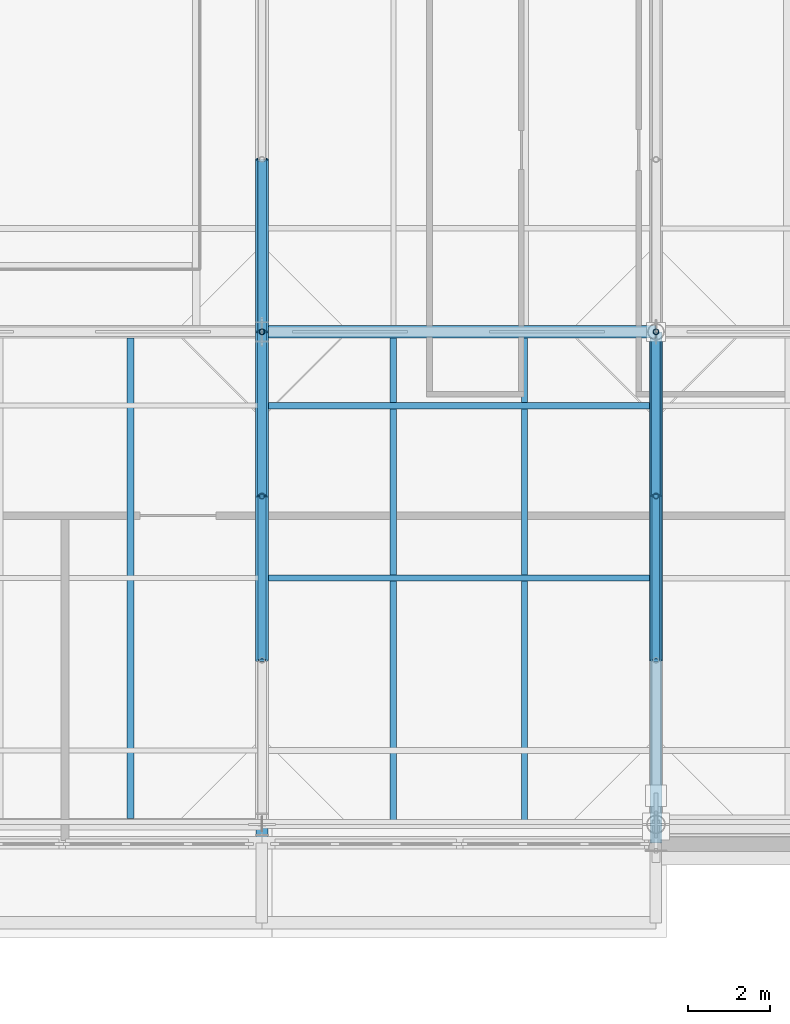
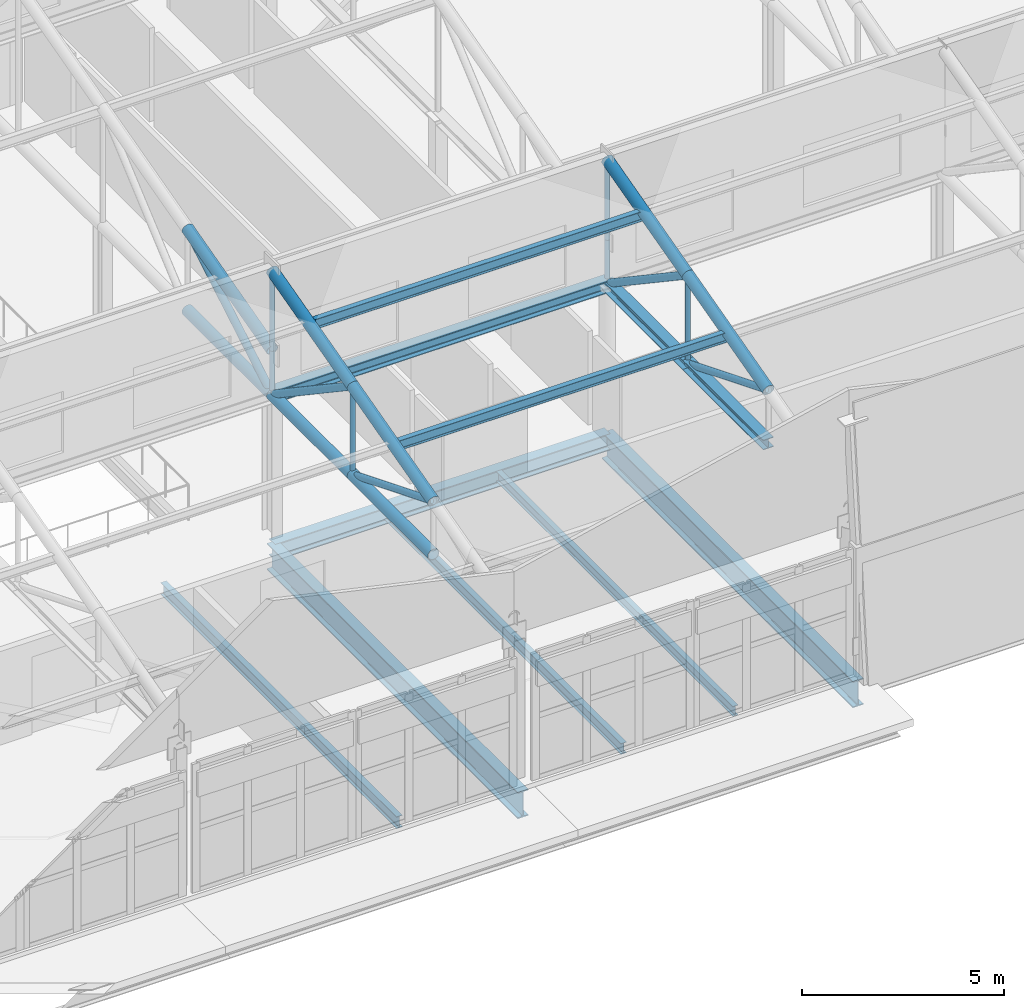
# One storey, part 27 of 89: 23 members, 7 beams.
"""IFC4 building model written with IfcOpenShell, lengths in metres."""

import ifcopenshell
import ifcopenshell.guid

model = None  # the IFC model being written
_history = None  # IfcOwnerHistory: only IFC2X3 demands one
_inside = {}  # id of a spatial element -> (the spatial element, [elements in it])
_under = {}  # id of a project, library or spatial element -> (it, [spatial elements below it])
_declared = {}  # id of a project -> (the project, [libraries it declares])
_typed = {}  # id of a type object -> (the type object, [elements of that type])
_made_of = {}  # id of a material, layer set ... -> (it, [elements and type objects made of it])


def new_model(schema):
    """Start an empty IFC model of exactly this schema.

    Asked for "IFC4X3", IfcOpenShell would pick the latest addendum, in which some entities
    have other attributes; the version numbers below select the first issue.
    IFC2X3 requires an IfcOwnerHistory on every rooted entity: one is made here for all.
    """
    global model, _history
    if schema == "IFC4X3":
        model = ifcopenshell.file(schema_version=(4, 3, 0, 0))
    else:
        model = ifcopenshell.file(schema=schema)
    _inside.clear()
    _under.clear()
    _declared.clear()
    _typed.clear()
    _made_of.clear()
    _history = None
    if model.schema == "IFC2X3":
        org = make("IfcOrganization", Name="unknown")
        user = make(
            "IfcPersonAndOrganization",
            ThePerson=make("IfcPerson", FamilyName="unknown"),
            TheOrganization=org,
        )
        app = make(
            "IfcApplication",
            ApplicationDeveloper=org,
            Version="unknown",
            ApplicationFullName="unknown",
            ApplicationIdentifier="unknown",
        )
        _history = make(
            "IfcOwnerHistory",
            OwningUser=user,
            OwningApplication=app,
            ChangeAction="ADDED",
            CreationDate=0,
        )
    return model


def make(cls, **values):
    """One entity of the class cls with the attributes given. An attribute that is None is left unset."""
    return model.create_entity(
        cls, **{name: value for name, value in values.items() if value is not None}
    )


def rooted(cls, **values):
    """An entity with a GlobalId (a new one), such as an element, a storey or a relation."""
    return make(cls, GlobalId=ifcopenshell.guid.new(), OwnerHistory=_history, **values)


def si_unit(unit_type, name, prefix=None):
    """IfcSIUnit, for example si_unit("LENGTHUNIT", "METRE", prefix="MILLI")."""
    return make("IfcSIUnit", UnitType=unit_type, Prefix=prefix, Name=name)


def assignment(units):
    """IfcUnitAssignment: the units of a project."""
    return None if units is None else make("IfcUnitAssignment", Units=units)


def point(xyz):
    """IfcCartesianPoint."""
    return None if xyz is None else make("IfcCartesianPoint", Coordinates=xyz)


def direction(xyz):
    """IfcDirection."""
    return None if xyz is None else make("IfcDirection", DirectionRatios=xyz)


def frame(location, z_axis=None, x_axis=None):
    """IfcAxis2Placement3D, a coordinate frame: its origin and axes. An axis left out is left unset."""
    return make(
        "IfcAxis2Placement3D",
        Location=point(location),
        Axis=direction(z_axis),
        RefDirection=direction(x_axis),
    )


def frame_2d(location, x_axis=None):
    """IfcAxis2Placement2D, a coordinate frame in the plane: its origin and x axis."""
    return make(
        "IfcAxis2Placement2D", Location=point(location), RefDirection=direction(x_axis)
    )


def origin():
    """The frame at (0, 0, 0) with its axes left unset."""
    return frame((0.0, 0.0, 0.0))


def origin_2d():
    """The frame at (0, 0) in the plane with its x axis left unset."""
    return frame_2d((0.0, 0.0))


def place(relative_to, where):
    """IfcLocalPlacement: puts the frame where relative to a parent placement (None: the world)."""
    return make(
        "IfcLocalPlacement", PlacementRelTo=relative_to, RelativePlacement=where
    )


def context(
    kind, dimensions, precision=None, world=None, true_north=None, identifier=None
):
    """IfcGeometricRepresentationContext, for example the 3D "Model" context."""
    return make(
        "IfcGeometricRepresentationContext",
        ContextIdentifier=identifier,
        ContextType=kind,
        CoordinateSpaceDimension=dimensions,
        Precision=precision,
        WorldCoordinateSystem=world,
        TrueNorth=true_north,
    )


def subcontext(parent, identifier, kind, view, scale=None):
    """IfcGeometricRepresentationSubContext, for example "Body" below "Model"."""
    return make(
        "IfcGeometricRepresentationSubContext",
        ContextIdentifier=identifier,
        ContextType=kind,
        ParentContext=parent,
        TargetScale=scale,
        TargetView=view,
    )


def project(units=None, contexts=None):
    """IfcProject with its units and contexts."""
    return rooted(
        "IfcProject",
        Name="project",
        RepresentationContexts=contexts,
        UnitsInContext=assignment(units),
    )


def spatial(cls, under=None, at=None, **own):
    """A site, building, storey or space (cls), placed at a placement, below another one or the project."""
    s = rooted(cls, ObjectPlacement=at, **own)
    if under is not None:
        _under.setdefault(under.id(), (under, []))[1].append(s)
    return s


def profile(cls, at=None, kind="AREA", **sizes):
    """A parametric profile (cls). Its sizes go by their IFC names, for example OverallWidth=200.0."""
    return make(cls, ProfileType=kind, Position=at, **sizes)


def hollow_circle(**sizes):
    """IfcCircleHollowProfileDef."""
    return profile("IfcCircleHollowProfileDef", **sizes)


def i_section(**sizes):
    """IfcIShapeProfileDef."""
    return profile("IfcIShapeProfileDef", **sizes)


def extrude(swept, where, along, depth):
    """IfcExtrudedAreaSolid: the profile swept, set in the frame where, extruded along a direction by depth."""
    return make(
        "IfcExtrudedAreaSolid",
        SweptArea=swept,
        Position=where,
        ExtrudedDirection=direction(along),
        Depth=depth,
    )


def shape(context_of_items, identifier, shape_type, items):
    """IfcShapeRepresentation: the items that make up one representation, for example the "Body"."""
    return make(
        "IfcShapeRepresentation",
        ContextOfItems=context_of_items,
        RepresentationIdentifier=identifier,
        RepresentationType=shape_type,
        Items=items,
    )


def material(Name=None, Category=None):
    """IfcMaterial."""
    return make("IfcMaterial", Name=Name, Category=Category)


def material_profile(
    of_material, cross_section, Name=None, Category=None, Priority=None
):
    """IfcMaterialProfile: a cross section and its material."""
    return make(
        "IfcMaterialProfile",
        Name=Name,
        Material=of_material,
        Profile=cross_section,
        Priority=Priority,
        Category=Category,
    )


def profile_set(profiles, Name=None, composite=None):
    """IfcMaterialProfileSet."""
    return make(
        "IfcMaterialProfileSet",
        Name=Name,
        MaterialProfiles=profiles,
        CompositeProfile=composite,
    )


def made_of(thing, what):
    """Note that an element or type object is made of a material, layer set ...; save() writes the relation."""
    if what is not None:
        _made_of.setdefault(what.id(), (what, []))[1].append(thing)
    return thing


def type_object(cls, material=None, **own):
    """A type object (cls), such as IfcWallType, which elements share."""
    return made_of(rooted(cls, **own), material)


def element(
    cls,
    number,
    at=None,
    inside=None,
    cuts=None,
    type_object=None,
    material=None,
    context=None,
    identifier="Body",
    shape_type=None,
    held_by="IfcProductDefinitionShape",
    body=None,
    shapes=None,
    **own,
):
    """One element of the class cls, such as IfcWall. Its Tag is "e" and its number.

    at: its placement. inside: the storey or other place that contains it. cuts: it is an
    opening in that element (IfcRelVoidsElement). A single representation is given by context,
    identifier, shape_type and body (its items); several are given by shapes. held_by: the class
    of the entity that holds the representations. save() writes the other relations.
    """
    e = rooted(cls, Tag="e%d" % number, ObjectPlacement=at, **own)
    if body is not None:
        shapes = [shape(context, identifier, shape_type, body)]
    if shapes is not None:
        e.Representation = make(held_by, Representations=shapes)
    if inside is not None:
        _inside.setdefault(inside.id(), (inside, []))[1].append(e)
    if cuts is not None:
        rooted(
            "IfcRelVoidsElement", RelatingBuildingElement=cuts, RelatedOpeningElement=e
        )
    if type_object is not None:
        _typed.setdefault(type_object.id(), (type_object, []))[1].append(e)
    return made_of(e, material)


def aggregate(whole, parts):
    """IfcRelAggregates: a whole, such as a stair, and the parts it consists of."""
    return rooted("IfcRelAggregates", RelatingObject=whole, RelatedObjects=parts)


def save(model, path):
    """Write the relations noted so far, then the file.

    IfcRelAggregates (storeys below a building ...), IfcRelContainedInSpatialStructure (elements
    in a storey), IfcRelDefinesByType, IfcRelAssociatesMaterial and IfcRelDeclares: one each for
    every whole, place, type object, material and project.
    """
    for whole, parts in _under.values():
        aggregate(whole, parts)
    for where, things in _inside.values():
        rooted(
            "IfcRelContainedInSpatialStructure",
            RelatedElements=things,
            RelatingStructure=where,
        )
    for kind, things in _typed.values():
        rooted("IfcRelDefinesByType", RelatedObjects=things, RelatingType=kind)
    for what, things in _made_of.values():
        rooted("IfcRelAssociatesMaterial", RelatedObjects=things, RelatingMaterial=what)
    for by, libraries in _declared.values():
        rooted("IfcRelDeclares", RelatingContext=by, RelatedDefinitions=libraries)
    model.write(path)


model = new_model("IFC4")

# Units and contexts
model_context = context("Model", 3, precision=1e-05, world=origin(), true_north=direction((0.0, 1.0)))
body_context = subcontext(model_context, "Body", "Model", "MODEL_VIEW")
ifc_project = project(units=[si_unit("LENGTHUNIT", "METRE"), si_unit("AREAUNIT", "SQUARE_METRE"), si_unit("VOLUMEUNIT", "CUBIC_METRE"), si_unit("PLANEANGLEUNIT", "RADIAN"), si_unit("MASSUNIT", "GRAM", prefix="KILO")], contexts=[model_context])

# Site, building, storey
site_placement = place(None, origin())
site = spatial("IfcSite", under=ifc_project, at=site_placement, CompositionType="ELEMENT")
building_placement = place(site_placement, origin())
building = spatial("IfcBuilding", under=site, at=building_placement, Name="Zereglee Splitstone Museum", CompositionType="ELEMENT")
storey_placement = place(building_placement, frame((0.0, 0.0, 21.300048828125)))
storey = spatial("IfcBuildingStorey", under=building, at=storey_placement, Name="L04", CompositionType="ELEMENT", Elevation=21.300048828125)

# Members
ifc_material_1 = material(Name="Steel S355J2H", Category="steel")
ifc_material_profile_1 = material_profile(ifc_material_1, hollow_circle(Radius=0.096923828125, WallThickness=0.010009765625, at=origin_2d()), Name="CHS 193.7x10")
ifc_profile_set_1 = profile_set([ifc_material_profile_1], Name="Steel S355J2H")
member_type_1 = type_object("IfcMemberType", Name="TB-04", PredefinedType="BRACE", material=ifc_profile_set_1)
for number, where, z_axis, x_axis, name in (
    (1, (116.39990234375, 17.60009765625, 4.199951171875), (0.0, -0.927136001435, 0.374725012299), (1.0, 0.0, 0.0), "Roof Truss ST-05 Diagonal 1.2"),
    (2, (126.0, 17.60009765625, 4.199951171875), (0.0, -0.927136001435, 0.374725012299), (1.0, 0.0, 0.0), "Roof Truss ST-06 Diagonal 1.2"),
):
    element("IfcMember", number, at=place(storey_placement, frame(where, z_axis=z_axis, x_axis=x_axis)), inside=storey, type_object=member_type_1, Name=name, PredefinedType="BRACE", context=body_context, shape_type="SweptSolid", body=[
        extrude(hollow_circle(Radius=0.096923828125, WallThickness=0.010009765625, at=origin_2d()), origin(), (0.0, 0.0, 1.0), 4.314453125),
    ])
ifc_material_profile_2 = material_profile(ifc_material_1, hollow_circle(Radius=0.109619140625, WallThickness=0.010009765625, at=origin_2d()), Name="CHS 219.1x10")
ifc_profile_set_2 = profile_set([ifc_material_profile_2], Name="Steel S355J2H")
member_type_2 = type_object("IfcMemberType", Name="TB-03", PredefinedType="BRACE", material=ifc_profile_set_2)
member_1_placement = place(storey_placement, frame((116.39990234375, 21.60009765625, 4.199951171875), z_axis=(0.0, -0.830448263685, 0.557095755991), x_axis=(1.0, 0.0, 0.0)))
element("IfcMember", 3, at=member_1_placement, inside=storey, type_object=member_type_2, Name="Roof Truss ST-05 Diagonal 1.3", PredefinedType="BRACE", context=body_context, shape_type="SweptSolid", body=[
    extrude(hollow_circle(Radius=0.109619140625, WallThickness=0.010009765625, at=origin_2d()), origin(), (0.0, 0.0, 1.0), 4.816650390625),
])
member_2_placement = place(storey_placement, frame((116.39990234375, 21.60009765625, 4.199951171875), z_axis=(0.0, 0.861527117747, 0.50771155727), x_axis=(-1.0, 0.0, 0.0)))
element("IfcMember", 4, at=member_2_placement, inside=storey, type_object=member_type_2, Name="Roof Truss ST-05 Diagonal 2.1", PredefinedType="BRACE", context=body_context, shape_type="SweptSolid", body=[
    extrude(hollow_circle(Radius=0.109619140625, WallThickness=0.010009765625, at=origin_2d()), origin(), (0.0, 0.0, 1.0), 4.875),
])
member_3_placement = place(storey_placement, frame((126.0, 21.60009765625, 4.199951171875), z_axis=(0.0, -0.830448263685, 0.557095755991), x_axis=(1.0, 0.0, 0.0)))
element("IfcMember", 5, at=member_3_placement, inside=storey, type_object=member_type_2, Name="Roof Truss ST-06 Diagonal 1.3", PredefinedType="BRACE", context=body_context, shape_type="SweptSolid", body=[
    extrude(hollow_circle(Radius=0.109619140625, WallThickness=0.010009765625, at=origin_2d()), origin(), (0.0, 0.0, 1.0), 4.816650390625),
])
ifc_material_profile_3 = material_profile(ifc_material_1, hollow_circle(Radius=0.161865234375, WallThickness=0.01611328125, at=origin_2d()), Name="CHS 323.9x16")
ifc_profile_set_3 = profile_set([ifc_material_profile_3], Name="Steel S355J2H")
member_type_3 = type_object("IfcMemberType", Name="TC-05", PredefinedType="CHORD", material=ifc_profile_set_3)
member_4_placement = place(storey_placement, frame((116.39990234375, 13.60009765625, 4.199951171875), z_axis=(0.0, 1.0, 0.0), x_axis=(-1.0, 0.0, 0.0)))
element("IfcMember", 6, at=member_4_placement, inside=storey, type_object=member_type_3, Name="Roof Truss ST-05 Bottom Chord 1.2", PredefinedType="CHORD", context=body_context, shape_type="SweptSolid", body=[
    extrude(hollow_circle(Radius=0.161865234375, WallThickness=0.01611328125, at=origin_2d()), origin(), (0.0, 0.0, 1.0), 4.0),
])
member_5_placement = place(storey_placement, frame((116.39990234375, 13.60009765625, 5.816650390625), z_axis=(0.0, 0.966235918422, 0.257658979955), x_axis=(-1.0, 0.0, 0.0)))
element("IfcMember", 7, at=member_5_placement, inside=storey, type_object=member_type_3, Name="Roof Truss ST-05 Top Chord 1.2", PredefinedType="CHORD", context=body_context, shape_type="SweptSolid", body=[
    extrude(hollow_circle(Radius=0.161865234375, WallThickness=0.01611328125, at=origin_2d()), origin(), (0.0, 0.0, 1.0), 4.139892578125),
])
member_6_placement = place(storey_placement, frame((116.39990234375, 17.60009765625, 4.199951171875), z_axis=(0.0, 1.0, 0.0), x_axis=(-1.0, 0.0, 0.0)))
element("IfcMember", 8, at=member_6_placement, inside=storey, type_object=member_type_3, Name="Roof Truss ST-05 Bottom Chord 1.3", PredefinedType="CHORD", context=body_context, shape_type="SweptSolid", body=[
    extrude(hollow_circle(Radius=0.161865234375, WallThickness=0.01611328125, at=origin_2d()), origin(), (0.0, 0.0, 1.0), 4.0),
])
member_7_placement = place(storey_placement, frame((116.39990234375, 17.60009765625, 6.88330078125), z_axis=(0.0, 0.966235918422, 0.257658979955), x_axis=(-1.0, 0.0, 0.0)))
element("IfcMember", 9, at=member_7_placement, inside=storey, type_object=member_type_3, Name="Roof Truss ST-05 Top Chord 1.3", PredefinedType="CHORD", context=body_context, shape_type="SweptSolid", body=[
    extrude(hollow_circle(Radius=0.161865234375, WallThickness=0.01611328125, at=origin_2d()), origin(), (0.0, 0.0, 1.0), 4.139892578125),
])
member_8_placement = place(storey_placement, frame((116.39990234375, 21.60009765625, 4.199951171875), z_axis=(0.0, 1.0, 0.0), x_axis=(-1.0, 0.0, 0.0)))
element("IfcMember", 10, at=member_8_placement, inside=storey, type_object=member_type_3, Name="Roof Truss ST-05 Bottom Chord 2.1", PredefinedType="CHORD", context=body_context, shape_type="SweptSolid", body=[
    extrude(hollow_circle(Radius=0.161865234375, WallThickness=0.01611328125, at=origin_2d()), origin(), (0.0, 0.0, 1.0), 4.199951171875),
])
member_9_placement = place(storey_placement, frame((116.39990234375, 21.60009765625, 5.550048828125), z_axis=(0.0, 0.965947299715, 0.258738891884), x_axis=(-1.0, 0.0, 0.0)))
element("IfcMember", 11, at=member_9_placement, inside=storey, type_object=member_type_3, Name="Roof Truss ST-05 Top Chord 2.1", PredefinedType="CHORD", context=body_context, shape_type="SweptSolid", body=[
    extrude(hollow_circle(Radius=0.161865234375, WallThickness=0.01611328125, at=origin_2d()), origin(), (0.0, 0.0, 1.0), 4.347900390625),
])
for number, where, z_axis, x_axis, name in (
    (12, (126.0, 13.60009765625, 5.816650390625), (0.0, 0.966235918422, 0.257658979955), (-1.0, 0.0, 0.0), "Roof Truss ST-06 Top Chord 1.2"),
    (13, (126.0, 17.60009765625, 6.88330078125), (0.0, 0.966235918422, 0.257658979955), (-1.0, 0.0, 0.0), "Roof Truss ST-06 Top Chord 1.3"),
):
    element("IfcMember", number, at=place(storey_placement, frame(where, z_axis=z_axis, x_axis=x_axis)), inside=storey, type_object=member_type_3, Name=name, PredefinedType="CHORD", context=body_context, shape_type="SweptSolid", body=[
        extrude(hollow_circle(Radius=0.161865234375, WallThickness=0.01611328125, at=origin_2d()), origin(), (0.0, 0.0, 1.0), 4.139892578125),
    ])
ifc_material_2 = material(Name="Steel S355J2", Category="steel")
ifc_material_profile_4 = material_profile(ifc_material_2, i_section(OverallWidth=0.300048828125, OverallDepth=0.300048828125, WebThickness=0.010986328125, FlangeThickness=0.01904296875, FilletRadius=0.027099609375, at=origin_2d()), Name="HE 300 B")
ifc_profile_set_4 = profile_set([ifc_material_profile_4], Name="Steel S355J2")
member_type_4 = type_object("IfcMemberType", Name="TC-07", PredefinedType="CHORD", material=ifc_profile_set_4)
for number, where, z_axis, x_axis, name in (
    (14, (126.0, 13.60009765625, 4.199951171875), (0.0, 1.0, 0.0), (-1.0, 0.0, 0.0), "Roof Truss ST-06 Bottom Chord 1.2"),
    (15, (126.0, 17.60009765625, 4.199951171875), (0.0, 1.0, 0.0), (-1.0, 0.0, 0.0), "Roof Truss ST-06 Bottom Chord 1.3"),
):
    element("IfcMember", number, at=place(storey_placement, frame(where, z_axis=z_axis, x_axis=x_axis)), inside=storey, type_object=member_type_4, Name=name, PredefinedType="CHORD", context=body_context, shape_type="SweptSolid", body=[
        extrude(i_section(OverallWidth=0.300048828125, OverallDepth=0.300048828125, WebThickness=0.010986328125, FlangeThickness=0.01904296875, FilletRadius=0.027099609375, at=origin_2d()), origin(), (0.0, 0.0, 1.0), 4.0),
    ])

# Beams
ifc_material_profile_5 = material_profile(ifc_material_2, i_section(OverallWidth=0.300048828125, OverallDepth=0.360107421875, WebThickness=0.012451171875, FlangeThickness=0.0224609375, FilletRadius=0.027099609375, at=origin_2d()), Name="HE 360 B")
ifc_profile_set_5 = profile_set([ifc_material_profile_5], Name="Steel S355J2")
beam_type_1 = type_object("IfcBeamType", Name="BG-14", PredefinedType="BEAM", material=ifc_profile_set_5)
beam_1_placement = place(storey_placement, frame((116.39990234375, 21.60009765625, 4.199951171875), z_axis=(1.0, 0.0, 0.0), x_axis=(0.0, 1.0, 0.0)))
element("IfcBeam", 16, at=beam_1_placement, inside=storey, type_object=beam_type_1, Name="Sawtooth Monitor Sill Beam B5-S1", PredefinedType="BEAM", context=body_context, shape_type="SweptSolid", body=[
    extrude(i_section(OverallWidth=0.300048828125, OverallDepth=0.360107421875, WebThickness=0.012451171875, FlangeThickness=0.0224609375, FilletRadius=0.027099609375, at=origin_2d()), origin(), (0.0, 0.0, 1.0), 9.60009765625),
])
ifc_material_profile_6 = material_profile(ifc_material_2, i_section(OverallWidth=0.300048828125, OverallDepth=0.5, WebThickness=0.014404296875, FlangeThickness=0.028076171875, FilletRadius=0.027099609375, at=origin_2d()), Name="HE 500 B")
ifc_profile_set_6 = profile_set([ifc_material_profile_6], Name="Steel S355J2")
beam_type_2 = type_object("IfcBeamType", Name="BG-12", PredefinedType="BEAM", material=ifc_profile_set_6)
beam_2_placement = place(storey_placement, frame((116.39990234375, 21.60009765625, -0.510009765625), z_axis=(1.0, 0.0, 0.0), x_axis=(0.0, 1.0, 0.0)))
element("IfcBeam", 17, at=beam_2_placement, inside=storey, type_object=beam_type_2, Name="Primary Girder L04 C (116.4-126.0)", PredefinedType="BEAM", context=body_context, shape_type="SweptSolid", body=[
    extrude(i_section(OverallWidth=0.300048828125, OverallDepth=0.5, WebThickness=0.014404296875, FlangeThickness=0.028076171875, FilletRadius=0.027099609375, at=origin_2d()), origin(), (0.0, 0.0, 1.0), 9.60009765625),
])
ifc_material_profile_7 = material_profile(ifc_material_2, i_section(OverallWidth=0.300048828125, OverallDepth=0.800048828125, WebThickness=0.017578125, FlangeThickness=0.032958984375, FilletRadius=0.030029296875, at=origin_2d()), Name="HE 800 B")
ifc_profile_set_7 = profile_set([ifc_material_profile_7], Name="Steel S355J2")
beam_type_3 = type_object("IfcBeamType", Name="BG-07", PredefinedType="BEAM", material=ifc_profile_set_7)
for number, where, z_axis, x_axis, name in (
    (18, (116.39990234375, 9.14990234375, -0.66015625), (0.0, 1.0, 0.0), (-1.0, 0.0, 0.0), "Primary Girder L04 14 (9.2-21.6)"),
    (19, (126.0, 9.14990234375, -0.66015625), (0.0, 1.0, 0.0), (-1.0, 0.0, 0.0), "Primary Girder L04 15 (9.2-21.6)"),
):
    element("IfcBeam", number, at=place(storey_placement, frame(where, z_axis=z_axis, x_axis=x_axis)), inside=storey, type_object=beam_type_3, Name=name, PredefinedType="BEAM", context=body_context, shape_type="SweptSolid", body=[
        extrude(i_section(OverallWidth=0.300048828125, OverallDepth=0.800048828125, WebThickness=0.017578125, FlangeThickness=0.032958984375, FilletRadius=0.030029296875, at=origin_2d()), origin(), (0.0, 0.0, 1.0), 12.4501953125),
    ])
ifc_material_profile_8 = material_profile(ifc_material_2, i_section(OverallWidth=0.14990234375, OverallDepth=0.300048828125, WebThickness=0.007080078125, FlangeThickness=0.0107421875, FilletRadius=0.014892578125, at=origin_2d()), Name="IPE 300")
ifc_profile_set_8 = profile_set([ifc_material_profile_8], Name="Steel S355J2")
beam_type_4 = type_object("IfcBeamType", Name="BJ-06", PredefinedType="JOIST", material=ifc_profile_set_8)
beam_3_placement = place(storey_placement, frame((122.800048828125, 9.699951171875, -0.41015625), z_axis=(0.0, 1.0, 0.0), x_axis=(-1.0, 0.0, 0.0)))
element("IfcBeam", 20, at=beam_3_placement, inside=storey, type_object=beam_type_4, Name="Secondary Floor Joist L04-1517", PredefinedType="JOIST", context=body_context, shape_type="SweptSolid", body=[
    extrude(i_section(OverallWidth=0.14990234375, OverallDepth=0.300048828125, WebThickness=0.007080078125, FlangeThickness=0.0107421875, FilletRadius=0.014892578125, at=origin_2d()), origin(), (0.0, 0.0, 1.0), 11.75),
])
ifc_material_profile_9 = material_profile(ifc_material_2, i_section(OverallWidth=0.159912109375, OverallDepth=0.330078125, WebThickness=0.007568359375, FlangeThickness=0.011474609375, FilletRadius=0.01806640625, at=origin_2d()), Name="IPE 330")
ifc_profile_set_9 = profile_set([ifc_material_profile_9], Name="Steel S355J2")
beam_type_5 = type_object("IfcBeamType", Name="BJ-05", PredefinedType="JOIST", material=ifc_profile_set_9)
beam_4_placement = place(storey_placement, frame((119.60009765625, 9.699951171875, -0.425048828125), z_axis=(0.0, 1.0, 0.0), x_axis=(-1.0, 0.0, 0.0)))
element("IfcBeam", 21, at=beam_4_placement, inside=storey, type_object=beam_type_5, Name="Secondary Floor Joist L04-1516", PredefinedType="JOIST", context=body_context, shape_type="SweptSolid", body=[
    extrude(i_section(OverallWidth=0.159912109375, OverallDepth=0.330078125, WebThickness=0.007568359375, FlangeThickness=0.011474609375, FilletRadius=0.01806640625, at=origin_2d()), origin(), (0.0, 0.0, 1.0), 11.75),
])
ifc_material_profile_10 = material_profile(ifc_material_2, i_section(OverallWidth=0.169921875, OverallDepth=0.360107421875, WebThickness=0.008056640625, FlangeThickness=0.0126953125, FilletRadius=0.01806640625, at=origin_2d()), Name="IPE 360")
ifc_profile_set_10 = profile_set([ifc_material_profile_10], Name="Steel S355J2")
beam_type_6 = type_object("IfcBeamType", Name="BJ-04", PredefinedType="JOIST", material=ifc_profile_set_10)
beam_5_placement = place(storey_placement, frame((113.199951171875, 9.739990234375, -0.43994140625), z_axis=(0.0, 1.0, 0.0), x_axis=(-1.0, 0.0, 0.0)))
element("IfcBeam", 22, at=beam_5_placement, inside=storey, type_object=beam_type_6, Name="Secondary Floor Joist L04-1515", PredefinedType="JOIST", context=body_context, shape_type="SweptSolid", body=[
    extrude(i_section(OverallWidth=0.169921875, OverallDepth=0.360107421875, WebThickness=0.008056640625, FlangeThickness=0.0126953125, FilletRadius=0.01806640625, at=origin_2d()), origin(), (0.0, 0.0, 1.0), 11.7099609375),
])

# Members
ifc_material_profile_11 = material_profile(ifc_material_1, hollow_circle(Radius=0.06982421875, WallThickness=0.008056640625, at=origin_2d()), Name="CHS 139.7x8")
ifc_profile_set_11 = profile_set([ifc_material_profile_11], Name="Steel S355J2H")
member_type_5 = type_object("IfcMemberType", Name="TP-03", PredefinedType="POST", material=ifc_profile_set_11)
member_10_placement = place(storey_placement, frame((116.39990234375, 17.60009765625, 4.199951171875), z_axis=(0.0, 0.0, 1.0), x_axis=(1.0, 0.0, 0.0)))
element("IfcMember", 23, at=member_10_placement, inside=storey, type_object=member_type_5, Name="Roof Truss ST-05 Post 1.2", PredefinedType="POST", context=body_context, shape_type="SweptSolid", body=[
    extrude(hollow_circle(Radius=0.06982421875, WallThickness=0.008056640625, at=origin_2d()), origin(), (0.0, 0.0, 1.0), 2.683349609375),
])
member_11_placement = place(storey_placement, frame((116.39990234375, 21.60009765625, 4.199951171875), z_axis=(0.0, 0.0, 1.0), x_axis=(1.0, 0.0, 0.0)))
element("IfcMember", 24, at=member_11_placement, inside=storey, type_object=member_type_5, Name="Roof Truss ST-05 Post 1.3", PredefinedType="POST", context=body_context, shape_type="SweptSolid", body=[
    extrude(hollow_circle(Radius=0.06982421875, WallThickness=0.008056640625, at=origin_2d()), origin(), (0.0, 0.0, 1.0), 3.75),
])
member_12_placement = place(storey_placement, frame((116.39990234375, 21.60009765625, 4.199951171875), z_axis=(0.0, 0.0, 1.0), x_axis=(1.0, 0.0, 0.0)))
element("IfcMember", 25, at=member_12_placement, inside=storey, type_object=member_type_5, Name="Roof Truss ST-05 Post 2.0", PredefinedType="POST", context=body_context, shape_type="SweptSolid", body=[
    extrude(hollow_circle(Radius=0.06982421875, WallThickness=0.008056640625, at=origin_2d()), origin(), (0.0, 0.0, 1.0), 1.35009765625),
])
member_13_placement = place(storey_placement, frame((126.0, 17.60009765625, 4.199951171875), z_axis=(0.0, 0.0, 1.0), x_axis=(1.0, 0.0, 0.0)))
element("IfcMember", 26, at=member_13_placement, inside=storey, type_object=member_type_5, Name="Roof Truss ST-06 Post 1.2", PredefinedType="POST", context=body_context, shape_type="SweptSolid", body=[
    extrude(hollow_circle(Radius=0.06982421875, WallThickness=0.008056640625, at=origin_2d()), origin(), (0.0, 0.0, 1.0), 2.683349609375),
])
member_14_placement = place(storey_placement, frame((126.0, 21.60009765625, 4.199951171875), z_axis=(0.0, 0.0, 1.0), x_axis=(1.0, 0.0, 0.0)))
element("IfcMember", 27, at=member_14_placement, inside=storey, type_object=member_type_5, Name="Roof Truss ST-06 Post 1.3", PredefinedType="POST", context=body_context, shape_type="SweptSolid", body=[
    extrude(hollow_circle(Radius=0.06982421875, WallThickness=0.008056640625, at=origin_2d()), origin(), (0.0, 0.0, 1.0), 3.75),
])
member_15_placement = place(storey_placement, frame((126.0, 21.60009765625, 4.199951171875), z_axis=(0.0, 0.0, 1.0), x_axis=(1.0, 0.0, 0.0)))
element("IfcMember", 28, at=member_15_placement, inside=storey, type_object=member_type_5, Name="Roof Truss ST-06 Post 2.0", PredefinedType="POST", context=body_context, shape_type="SweptSolid", body=[
    extrude(hollow_circle(Radius=0.06982421875, WallThickness=0.008056640625, at=origin_2d()), origin(), (0.0, 0.0, 1.0), 1.35009765625),
])
ifc_material_profile_12 = material_profile(ifc_material_2, i_section(OverallWidth=0.14990234375, OverallDepth=0.300048828125, WebThickness=0.007080078125, FlangeThickness=0.0107421875, FilletRadius=0.014892578125, at=origin_2d()), Name="IPE 300")
ifc_profile_set_12 = profile_set([ifc_material_profile_12], Name="Steel S355J2")
member_type_6 = type_object("IfcMemberType", Name="PR-01", PredefinedType="PURLIN", material=ifc_profile_set_12)
for number, where, z_axis, x_axis, name in (
    (29, (116.39990234375, 15.60009765625, 6.273193359375), (1.0, 0.0, 0.0), (0.0, 1.0, 0.0), "Sawtooth Roof Purlin B5-S1-2"),
    (30, (116.39990234375, 19.800048828125, 7.39306640625), (1.0, 0.0, 0.0), (0.0, 1.0, 0.0), "Sawtooth Roof Purlin B5-S1-3"),
):
    element("IfcMember", number, at=place(storey_placement, frame(where, z_axis=z_axis, x_axis=x_axis)), inside=storey, type_object=member_type_6, Name=name, PredefinedType="PURLIN", context=body_context, shape_type="SweptSolid", body=[
        extrude(i_section(OverallWidth=0.14990234375, OverallDepth=0.300048828125, WebThickness=0.007080078125, FlangeThickness=0.0107421875, FilletRadius=0.014892578125, at=origin_2d()), origin(), (0.0, 0.0, 1.0), 9.60009765625),
    ])

save(model, "model.ifc")
